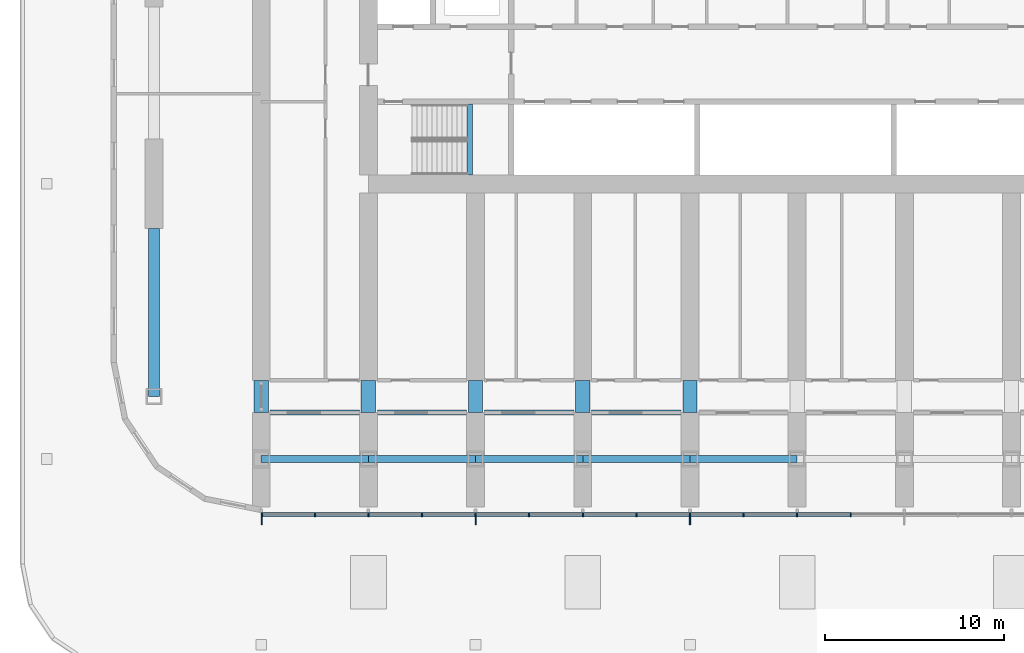
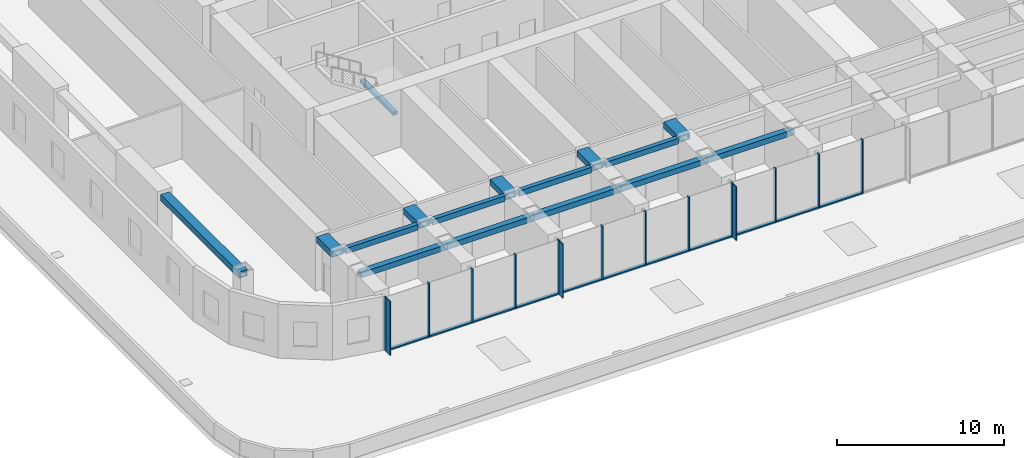
# One storey, part 2 of 23: 26 members, 16 beams, 1 element without a shape of its own.
"""IFC4 building model written with IfcOpenShell, lengths in metres."""

from ifc_helpers import new_model, si_unit, direction, frame, origin, origin_2d, place, context, subcontext, project, spatial, rectangle, hollow_rectangle, extrude, material, material_profile, profile_set, type_object, element, aggregate, save


model = new_model("IFC4")

# Units and contexts
model_context = context("Model", 3, precision=1e-05, world=origin(), true_north=direction((0.0, 1.0)))
body_context = subcontext(model_context, "Body", "Model", "MODEL_VIEW")
ifc_project = project(units=[si_unit("LENGTHUNIT", "METRE"), si_unit("AREAUNIT", "SQUARE_METRE"), si_unit("VOLUMEUNIT", "CUBIC_METRE"), si_unit("PLANEANGLEUNIT", "RADIAN"), si_unit("MASSUNIT", "GRAM", prefix="KILO")], contexts=[model_context])

# Site, building, storey
site_placement = place(None, origin())
site = spatial("IfcSite", under=ifc_project, at=site_placement, CompositionType="ELEMENT")
building_placement = place(site_placement, origin())
building = spatial("IfcBuilding", under=site, at=building_placement, Name="Orbita Commons", CompositionType="ELEMENT")
storey_placement = place(building_placement, frame((0.0, 0.0, 16.0)))
storey = spatial("IfcBuildingStorey", under=building, at=storey_placement, Name="L03", CompositionType="ELEMENT", Elevation=16.0)

# Curtain wall, members
ifc_material_1 = material(Name="Anodised aluminium frame, pale silver", Category="aluminium")
curtain_wall_type = type_object("IfcCurtainWallType", Name="Unitised curtain wall CW-S, full-height", PredefinedType="NOTDEFINED", material=ifc_material_1)
curtain_wall_placement = place(storey_placement, origin())
curtain_wall = element("IfcCurtainWall", 1, at=curtain_wall_placement, inside=storey, type_object=curtain_wall_type, Name="Curtain wall south L03", PredefinedType="NOTDEFINED")
ifc_material_2 = material(Name="Anodised aluminium, pale silver", Category="aluminium")
ifc_material_profile_1 = material_profile(ifc_material_2, rectangle(XDim=0.080078125, YDim=0.219970703125, at=origin_2d()), Name="AL 80x220")
ifc_profile_set_1 = profile_set([ifc_material_profile_1], Name="Anodised aluminium, pale silver")
member_type_1 = type_object("IfcMemberType", Name="Curtain wall mullion 80x220", PredefinedType="MULLION", material=ifc_profile_set_1)
member_1_placement = place(storey_placement, frame((12.0400390625, 7.2900390625, 0.0), z_axis=(0.0, 0.0, 1.0), x_axis=(1.0, 0.0, 0.0)))
member_1 = element("IfcMember", 2, at=member_1_placement, type_object=member_type_1, Name="Mullion 1 CW-L03-S", PredefinedType="MULLION", context=body_context, shape_type="SweptSolid", body=[
    extrude(rectangle(XDim=0.080078125, YDim=0.219970703125, at=origin_2d()), origin(), (0.0, 0.0, 1.0), 3.949951171875),
])
member_2_placement = place(storey_placement, frame((15.0, 7.2900390625, 0.0), z_axis=(0.0, 0.0, 1.0), x_axis=(1.0, 0.0, 0.0)))
member_2 = element("IfcMember", 3, at=member_2_placement, type_object=member_type_1, Name="Mullion 2 CW-L03-S", PredefinedType="MULLION", context=body_context, shape_type="SweptSolid", body=[
    extrude(rectangle(XDim=0.080078125, YDim=0.219970703125, at=origin_2d()), origin(), (0.0, 0.0, 1.0), 3.949951171875),
])
member_3_placement = place(storey_placement, frame((18.0, 7.2900390625, 0.0), z_axis=(0.0, 0.0, 1.0), x_axis=(1.0, 0.0, 0.0)))
member_3 = element("IfcMember", 4, at=member_3_placement, type_object=member_type_1, Name="Mullion 3 CW-L03-S", PredefinedType="MULLION", context=body_context, shape_type="SweptSolid", body=[
    extrude(rectangle(XDim=0.080078125, YDim=0.219970703125, at=origin_2d()), origin(), (0.0, 0.0, 1.0), 3.949951171875),
])
member_4_placement = place(storey_placement, frame((21.0, 7.2900390625, 0.0), z_axis=(0.0, 0.0, 1.0), x_axis=(1.0, 0.0, 0.0)))
member_4 = element("IfcMember", 5, at=member_4_placement, type_object=member_type_1, Name="Mullion 4 CW-L03-S", PredefinedType="MULLION", context=body_context, shape_type="SweptSolid", body=[
    extrude(rectangle(XDim=0.080078125, YDim=0.219970703125, at=origin_2d()), origin(), (0.0, 0.0, 1.0), 3.949951171875),
])
member_5_placement = place(storey_placement, frame((24.0, 7.2900390625, 0.0), z_axis=(0.0, 0.0, 1.0), x_axis=(1.0, 0.0, 0.0)))
member_5 = element("IfcMember", 6, at=member_5_placement, type_object=member_type_1, Name="Mullion 5 CW-L03-S", PredefinedType="MULLION", context=body_context, shape_type="SweptSolid", body=[
    extrude(rectangle(XDim=0.080078125, YDim=0.219970703125, at=origin_2d()), origin(), (0.0, 0.0, 1.0), 3.949951171875),
])
member_6_placement = place(storey_placement, frame((27.0, 7.2900390625, 0.0), z_axis=(0.0, 0.0, 1.0), x_axis=(1.0, 0.0, 0.0)))
member_6 = element("IfcMember", 7, at=member_6_placement, type_object=member_type_1, Name="Mullion 6 CW-L03-S", PredefinedType="MULLION", context=body_context, shape_type="SweptSolid", body=[
    extrude(rectangle(XDim=0.080078125, YDim=0.219970703125, at=origin_2d()), origin(), (0.0, 0.0, 1.0), 3.949951171875),
])
member_7_placement = place(storey_placement, frame((30.0, 7.2900390625, 0.0), z_axis=(0.0, 0.0, 1.0), x_axis=(1.0, 0.0, 0.0)))
member_7 = element("IfcMember", 8, at=member_7_placement, type_object=member_type_1, Name="Mullion 7 CW-L03-S", PredefinedType="MULLION", context=body_context, shape_type="SweptSolid", body=[
    extrude(rectangle(XDim=0.080078125, YDim=0.219970703125, at=origin_2d()), origin(), (0.0, 0.0, 1.0), 3.949951171875),
])
member_8_placement = place(storey_placement, frame((33.0, 7.2900390625, 0.0), z_axis=(0.0, 0.0, 1.0), x_axis=(1.0, 0.0, 0.0)))
member_8 = element("IfcMember", 9, at=member_8_placement, type_object=member_type_1, Name="Mullion 8 CW-L03-S", PredefinedType="MULLION", context=body_context, shape_type="SweptSolid", body=[
    extrude(rectangle(XDim=0.080078125, YDim=0.219970703125, at=origin_2d()), origin(), (0.0, 0.0, 1.0), 3.949951171875),
])
member_9_placement = place(storey_placement, frame((36.0, 7.2900390625, 0.0), z_axis=(0.0, 0.0, 1.0), x_axis=(1.0, 0.0, 0.0)))
member_9 = element("IfcMember", 10, at=member_9_placement, type_object=member_type_1, Name="Mullion 9 CW-L03-S", PredefinedType="MULLION", context=body_context, shape_type="SweptSolid", body=[
    extrude(rectangle(XDim=0.080078125, YDim=0.219970703125, at=origin_2d()), origin(), (0.0, 0.0, 1.0), 3.949951171875),
])
member_10_placement = place(storey_placement, frame((39.0, 7.2900390625, 0.0), z_axis=(0.0, 0.0, 1.0), x_axis=(1.0, 0.0, 0.0)))
member_10 = element("IfcMember", 11, at=member_10_placement, type_object=member_type_1, Name="Mullion 10 CW-L03-S", PredefinedType="MULLION", context=body_context, shape_type="SweptSolid", body=[
    extrude(rectangle(XDim=0.080078125, YDim=0.219970703125, at=origin_2d()), origin(), (0.0, 0.0, 1.0), 3.949951171875),
])
member_11_placement = place(storey_placement, frame((42.0, 7.2900390625, 0.0), z_axis=(0.0, 0.0, 1.0), x_axis=(1.0, 0.0, 0.0)))
member_11 = element("IfcMember", 12, at=member_11_placement, type_object=member_type_1, Name="Mullion 11 CW-L03-S", PredefinedType="MULLION", context=body_context, shape_type="SweptSolid", body=[
    extrude(rectangle(XDim=0.080078125, YDim=0.219970703125, at=origin_2d()), origin(), (0.0, 0.0, 1.0), 3.949951171875),
])
member_12_placement = place(storey_placement, frame((45.0, 7.2900390625, 0.0), z_axis=(0.0, 0.0, 1.0), x_axis=(1.0, 0.0, 0.0)))
member_12 = element("IfcMember", 13, at=member_12_placement, type_object=member_type_1, Name="Mullion 12 CW-L03-S", PredefinedType="MULLION", context=body_context, shape_type="SweptSolid", body=[
    extrude(rectangle(XDim=0.080078125, YDim=0.219970703125, at=origin_2d()), origin(), (0.0, 0.0, 1.0), 3.949951171875),
])
ifc_material_3 = material(Name="Anodised aluminium, pale silver", Category="aluminium")
ifc_material_profile_2 = material_profile(ifc_material_3, rectangle(XDim=0.219970703125, YDim=0.10009765625, at=origin_2d()), Name="AL 220x100")
ifc_profile_set_2 = profile_set([ifc_material_profile_2], Name="Anodised aluminium, pale silver")
member_type_2 = type_object("IfcMemberType", Name="Curtain wall stack transom 220x100", PredefinedType="USERDEFINED", material=ifc_profile_set_2)
member_13_placement = place(storey_placement, frame((12.080078125, 7.2900390625, 0.050048828125), z_axis=(1.0, 0.0, 0.0), x_axis=(0.0, 1.0, 0.0)))
member_13 = element("IfcMember", 14, at=member_13_placement, type_object=member_type_2, Name="Transom 1.1 CW-L03-S", ObjectType="TRANSOM", PredefinedType="USERDEFINED", context=body_context, shape_type="SweptSolid", body=[
    extrude(rectangle(XDim=0.219970703125, YDim=0.10009765625, at=origin_2d()), origin(), (0.0, 0.0, 1.0), 2.8798828125),
])
member_14_placement = place(storey_placement, frame((15.0400390625, 7.2900390625, 0.050048828125), z_axis=(1.0, 0.0, 0.0), x_axis=(0.0, 1.0, 0.0)))
member_14 = element("IfcMember", 15, at=member_14_placement, type_object=member_type_2, Name="Transom 2.1 CW-L03-S", ObjectType="TRANSOM", PredefinedType="USERDEFINED", context=body_context, shape_type="SweptSolid", body=[
    extrude(rectangle(XDim=0.219970703125, YDim=0.10009765625, at=origin_2d()), origin(), (0.0, 0.0, 1.0), 2.919921875),
])
member_15_placement = place(storey_placement, frame((18.0400390625, 7.2900390625, 0.050048828125), z_axis=(1.0, 0.0, 0.0), x_axis=(0.0, 1.0, 0.0)))
member_15 = element("IfcMember", 16, at=member_15_placement, type_object=member_type_2, Name="Transom 3.1 CW-L03-S", ObjectType="TRANSOM", PredefinedType="USERDEFINED", context=body_context, shape_type="SweptSolid", body=[
    extrude(rectangle(XDim=0.219970703125, YDim=0.10009765625, at=origin_2d()), origin(), (0.0, 0.0, 1.0), 2.919921875),
])
member_16_placement = place(storey_placement, frame((21.0400390625, 7.2900390625, 0.050048828125), z_axis=(1.0, 0.0, 0.0), x_axis=(0.0, 1.0, 0.0)))
member_16 = element("IfcMember", 17, at=member_16_placement, type_object=member_type_2, Name="Transom 4.1 CW-L03-S", ObjectType="TRANSOM", PredefinedType="USERDEFINED", context=body_context, shape_type="SweptSolid", body=[
    extrude(rectangle(XDim=0.219970703125, YDim=0.10009765625, at=origin_2d()), origin(), (0.0, 0.0, 1.0), 2.919921875),
])
member_17_placement = place(storey_placement, frame((24.0400390625, 7.2900390625, 0.050048828125), z_axis=(1.0, 0.0, 0.0), x_axis=(0.0, 1.0, 0.0)))
member_17 = element("IfcMember", 18, at=member_17_placement, type_object=member_type_2, Name="Transom 5.1 CW-L03-S", ObjectType="TRANSOM", PredefinedType="USERDEFINED", context=body_context, shape_type="SweptSolid", body=[
    extrude(rectangle(XDim=0.219970703125, YDim=0.10009765625, at=origin_2d()), origin(), (0.0, 0.0, 1.0), 2.919921875),
])
member_18_placement = place(storey_placement, frame((27.0400390625, 7.2900390625, 0.050048828125), z_axis=(1.0, 0.0, 0.0), x_axis=(0.0, 1.0, 0.0)))
member_18 = element("IfcMember", 19, at=member_18_placement, type_object=member_type_2, Name="Transom 6.1 CW-L03-S", ObjectType="TRANSOM", PredefinedType="USERDEFINED", context=body_context, shape_type="SweptSolid", body=[
    extrude(rectangle(XDim=0.219970703125, YDim=0.10009765625, at=origin_2d()), origin(), (0.0, 0.0, 1.0), 2.919921875),
])
member_19_placement = place(storey_placement, frame((30.0400390625, 7.2900390625, 0.050048828125), z_axis=(1.0, 0.0, 0.0), x_axis=(0.0, 1.0, 0.0)))
member_19 = element("IfcMember", 20, at=member_19_placement, type_object=member_type_2, Name="Transom 7.1 CW-L03-S", ObjectType="TRANSOM", PredefinedType="USERDEFINED", context=body_context, shape_type="SweptSolid", body=[
    extrude(rectangle(XDim=0.219970703125, YDim=0.10009765625, at=origin_2d()), origin(), (0.0, 0.0, 1.0), 2.919921875),
])
member_20_placement = place(storey_placement, frame((33.0400390625, 7.2900390625, 0.050048828125), z_axis=(1.0, 0.0, 0.0), x_axis=(0.0, 1.0, 0.0)))
member_20 = element("IfcMember", 21, at=member_20_placement, type_object=member_type_2, Name="Transom 8.1 CW-L03-S", ObjectType="TRANSOM", PredefinedType="USERDEFINED", context=body_context, shape_type="SweptSolid", body=[
    extrude(rectangle(XDim=0.219970703125, YDim=0.10009765625, at=origin_2d()), origin(), (0.0, 0.0, 1.0), 2.919921875),
])
member_21_placement = place(storey_placement, frame((36.0400390625, 7.2900390625, 0.050048828125), z_axis=(1.0, 0.0, 0.0), x_axis=(0.0, 1.0, 0.0)))
member_21 = element("IfcMember", 22, at=member_21_placement, type_object=member_type_2, Name="Transom 9.1 CW-L03-S", ObjectType="TRANSOM", PredefinedType="USERDEFINED", context=body_context, shape_type="SweptSolid", body=[
    extrude(rectangle(XDim=0.219970703125, YDim=0.10009765625, at=origin_2d()), origin(), (0.0, 0.0, 1.0), 2.919921875),
])
member_22_placement = place(storey_placement, frame((39.0400390625, 7.2900390625, 0.050048828125), z_axis=(1.0, 0.0, 0.0), x_axis=(0.0, 1.0, 0.0)))
member_22 = element("IfcMember", 23, at=member_22_placement, type_object=member_type_2, Name="Transom 10.1 CW-L03-S", ObjectType="TRANSOM", PredefinedType="USERDEFINED", context=body_context, shape_type="SweptSolid", body=[
    extrude(rectangle(XDim=0.219970703125, YDim=0.10009765625, at=origin_2d()), origin(), (0.0, 0.0, 1.0), 2.919921875),
])
member_23_placement = place(storey_placement, frame((42.0400390625, 7.2900390625, 0.050048828125), z_axis=(1.0, 0.0, 0.0), x_axis=(0.0, 1.0, 0.0)))
member_23 = element("IfcMember", 24, at=member_23_placement, type_object=member_type_2, Name="Transom 11.1 CW-L03-S", ObjectType="TRANSOM", PredefinedType="USERDEFINED", context=body_context, shape_type="SweptSolid", body=[
    extrude(rectangle(XDim=0.219970703125, YDim=0.10009765625, at=origin_2d()), origin(), (0.0, 0.0, 1.0), 2.919921875),
])

# Beams
ifc_material_4 = material(Name="Steel ASTM A572 Gr 50 welded plate", Category="steel")
ifc_material_profile_3 = material_profile(ifc_material_4, hollow_rectangle(XDim=0.300048828125, YDim=0.25, WallThickness=0.02490234375, at=origin_2d()), Name="BOX 250x300x25")
ifc_profile_set_3 = profile_set([ifc_material_profile_3], Name="Steel ASTM A572 Gr 50 welded plate")
beam_type_1 = type_object("IfcBeamType", Name="Stair landing beam steel BOX 250x300x25", PredefinedType="BEAM", material=ifc_profile_set_3)
beam_1_placement = place(storey_placement, frame((23.679931640625, 26.284912109375, 1.77490234375), z_axis=(0.0, 1.0, 0.0), x_axis=(-1.0, 0.0, 0.0)))
element("IfcBeam", 25, at=beam_1_placement, inside=storey, type_object=beam_type_1, Name="Stair S1 landing beam L03 1", PredefinedType="BEAM", context=body_context, shape_type="SweptSolid", body=[
    extrude(hollow_rectangle(XDim=0.300048828125, YDim=0.25, WallThickness=0.02490234375, at=origin_2d()), origin(), (0.0, 0.0, 1.0), 3.97998046875),
])
ifc_material_5 = material(Name="Steel ASTM A572 Gr 50 welded plate", Category="steel")
ifc_material_profile_4 = material_profile(ifc_material_5, hollow_rectangle(XDim=0.300048828125, YDim=0.39990234375, WallThickness=0.0400390625, at=origin_2d()), Name="BOX 400x300x40")
ifc_profile_set_4 = profile_set([ifc_material_profile_4], Name="Steel ASTM A572 Gr 50 welded plate")
beam_type_2 = type_object("IfcBeamType", Name="Steel corridor link BOX 400x300x40", PredefinedType="BEAM", material=ifc_profile_set_4)
for number, where, z_axis, x_axis, name in (
    (26, (12.5, 13.0, 3.75), (1.0, 0.0, 0.0), (0.0, 1.0, 0.0), "Corridor beam SA 3-4 L03"),
    (27, (18.5, 13.0, 3.75), (1.0, 0.0, 0.0), (0.0, 1.0, 0.0), "Corridor beam SA 4-5 L03"),
    (28, (24.5, 13.0, 3.75), (1.0, 0.0, 0.0), (0.0, 1.0, 0.0), "Corridor beam SA 5-6 L03"),
    (29, (30.5, 13.0, 3.75), (1.0, 0.0, 0.0), (0.0, 1.0, 0.0), "Corridor beam SA 6-7 L03"),
):
    element("IfcBeam", number, at=place(storey_placement, frame(where, z_axis=z_axis, x_axis=x_axis)), inside=storey, type_object=beam_type_2, Name=name, PredefinedType="BEAM", context=body_context, shape_type="SweptSolid", body=[
        extrude(hollow_rectangle(XDim=0.300048828125, YDim=0.39990234375, WallThickness=0.0400390625, at=origin_2d()), origin(), (0.0, 0.0, 1.0), 5.0),
    ])
ifc_material_6 = material(Name="Steel ASTM A572 Gr 50 welded plate", Category="steel")
ifc_material_profile_5 = material_profile(ifc_material_6, hollow_rectangle(XDim=0.800048828125, YDim=0.449951171875, WallThickness=0.06005859375, at=origin_2d()), Name="BOX 450x800x60")
ifc_profile_set_5 = profile_set([ifc_material_profile_5], Name="Steel ASTM A572 Gr 50 welded plate")
beam_type_3 = type_object("IfcBeamType", Name="Steel coupling link BOX 450x800x60", PredefinedType="LINTEL", material=ifc_profile_set_5)
for number, where, z_axis, x_axis, name in (
    (30, (12.0, 13.0, 3.72509765625), (0.0, 1.0, 0.0), (-1.0, 0.0, 0.0), "Coupling beam 3 south L03"),
    (31, (18.0, 13.0, 3.72509765625), (0.0, 1.0, 0.0), (-1.0, 0.0, 0.0), "Coupling beam 4 south L03"),
    (32, (24.0, 13.0, 3.72509765625), (0.0, 1.0, 0.0), (-1.0, 0.0, 0.0), "Coupling beam 5 south L03"),
    (33, (30.0, 13.0, 3.72509765625), (0.0, 1.0, 0.0), (-1.0, 0.0, 0.0), "Coupling beam 6 south L03"),
    (34, (36.0, 13.0, 3.72509765625), (0.0, 1.0, 0.0), (-1.0, 0.0, 0.0), "Coupling beam 7 south L03"),
):
    element("IfcBeam", number, at=place(storey_placement, frame(where, z_axis=z_axis, x_axis=x_axis)), inside=storey, type_object=beam_type_3, Name=name, PredefinedType="LINTEL", context=body_context, shape_type="SweptSolid", body=[
        extrude(hollow_rectangle(XDim=0.800048828125, YDim=0.449951171875, WallThickness=0.06005859375, at=origin_2d()), origin(), (0.0, 0.0, 1.0), 1.800048828125),
    ])
ifc_material_7 = material(Name="Steel ASTM A572 Gr 50 welded plate", Category="steel")
ifc_material_profile_6 = material_profile(ifc_material_7, hollow_rectangle(XDim=0.60009765625, YDim=0.449951171875, WallThickness=0.06005859375, at=origin_2d()), Name="BOX 450x600x60")
ifc_profile_set_6 = profile_set([ifc_material_profile_6], Name="Steel ASTM A572 Gr 50 welded plate")
beam_type_4 = type_object("IfcBeamType", Name="Steel end frame link BOX 450x600x60", PredefinedType="BEAM", material=ifc_profile_set_6)
beam_2_placement = place(storey_placement, frame((6.0, 13.89990234375, 3.72509765625), z_axis=(0.0, 1.0, 0.0), x_axis=(-1.0, 0.0, 0.0)))
element("IfcBeam", 35, at=beam_2_placement, inside=storey, type_object=beam_type_4, Name="End frame beam 2 B-C L03", PredefinedType="BEAM", context=body_context, shape_type="SweptSolid", body=[
    extrude(hollow_rectangle(XDim=0.60009765625, YDim=0.449951171875, WallThickness=0.06005859375, at=origin_2d()), origin(), (0.0, 0.0, 1.0), 9.400146484375),
])
ifc_material_8 = material(Name="Steel ASTM A572 Gr 50 welded plate", Category="steel")
ifc_material_profile_7 = material_profile(ifc_material_8, hollow_rectangle(XDim=0.39990234375, YDim=0.39990234375, WallThickness=0.0400390625, at=origin_2d()), Name="BOX 400x400x40")
ifc_profile_set_7 = profile_set([ifc_material_profile_7], Name="Steel ASTM A572 Gr 50 welded plate")
beam_type_5 = type_object("IfcBeamType", Name="Steel spandrel BOX 400x400x40", PredefinedType="SPANDREL", material=ifc_profile_set_7)
for number, where, z_axis, x_axis, name in (
    (36, (12.0, 10.39990234375, 3.75), (1.0, 0.0, 0.0), (0.0, 1.0, 0.0), "Spandrel beam B 3-4 L03"),
    (37, (18.0, 10.39990234375, 3.75), (1.0, 0.0, 0.0), (0.0, 1.0, 0.0), "Spandrel beam B 4-5 L03"),
    (38, (24.0, 10.39990234375, 3.75), (1.0, 0.0, 0.0), (0.0, 1.0, 0.0), "Spandrel beam B 5-6 L03"),
    (39, (30.0, 10.39990234375, 3.75), (1.0, 0.0, 0.0), (0.0, 1.0, 0.0), "Spandrel beam B 6-7 L03"),
    (40, (36.0, 10.39990234375, 3.75), (1.0, 0.0, 0.0), (0.0, 1.0, 0.0), "Spandrel beam B 7-8 L03"),
):
    element("IfcBeam", number, at=place(storey_placement, frame(where, z_axis=z_axis, x_axis=x_axis)), inside=storey, type_object=beam_type_5, Name=name, PredefinedType="SPANDREL", context=body_context, shape_type="SweptSolid", body=[
        extrude(hollow_rectangle(XDim=0.39990234375, YDim=0.39990234375, WallThickness=0.0400390625, at=origin_2d()), origin(), (0.0, 0.0, 1.0), 6.0),
    ])

# Member
ifc_material_9 = material(Name="Anodised aluminium, pale silver", Category="aluminium")
ifc_material_profile_8 = material_profile(ifc_material_9, rectangle(XDim=0.06005859375, YDim=0.449951171875, at=origin_2d()), Name="FIN 60x450")
ifc_profile_set_8 = profile_set([ifc_material_profile_8], Name="Anodised aluminium, pale silver")
member_type_3 = type_object("IfcMemberType", Name="Vertical fin 60x450 pale aluminium", PredefinedType="USERDEFINED", material=ifc_profile_set_8)
member_24_placement = place(storey_placement, frame((12.0400390625, 6.955078125, 0.0), z_axis=(0.0, 0.0, 1.0), x_axis=(1.0, 0.0, 0.0)))
member_24 = element("IfcMember", 41, at=member_24_placement, type_object=member_type_3, Name="Fin 1 CW-L03-S", ObjectType="FIN", PredefinedType="USERDEFINED", context=body_context, shape_type="SweptSolid", body=[
    extrude(rectangle(XDim=0.06005859375, YDim=0.449951171875, at=origin_2d()), origin(), (0.0, 0.0, 1.0), 3.949951171875),
])

member_25_placement = place(storey_placement, frame((24.0, 6.955078125, 0.0), z_axis=(0.0, 0.0, 1.0), x_axis=(1.0, 0.0, 0.0)))
member_25 = element("IfcMember", 42, at=member_25_placement, type_object=member_type_3, Name="Fin 5 CW-L03-S", ObjectType="FIN", PredefinedType="USERDEFINED", context=body_context, shape_type="SweptSolid", body=[
    extrude(rectangle(XDim=0.06005859375, YDim=0.449951171875, at=origin_2d()), origin(), (0.0, 0.0, 1.0), 3.949951171875),
])

member_26_placement = place(storey_placement, frame((36.0, 6.955078125, 0.0), z_axis=(0.0, 0.0, 1.0), x_axis=(1.0, 0.0, 0.0)))
member_26 = element("IfcMember", 43, at=member_26_placement, type_object=member_type_3, Name="Fin 9 CW-L03-S", ObjectType="FIN", PredefinedType="USERDEFINED", context=body_context, shape_type="SweptSolid", body=[
    extrude(rectangle(XDim=0.06005859375, YDim=0.449951171875, at=origin_2d()), origin(), (0.0, 0.0, 1.0), 3.949951171875),
])

aggregate(curtain_wall, [member_1, member_24, member_2, member_3, member_4, member_5, member_25, member_6, member_7, member_8, member_9, member_26, member_10, member_11, member_12, member_13, member_14, member_15, member_16, member_17, member_18, member_19, member_20, member_21, member_22, member_23])

save(model, "model.ifc")
